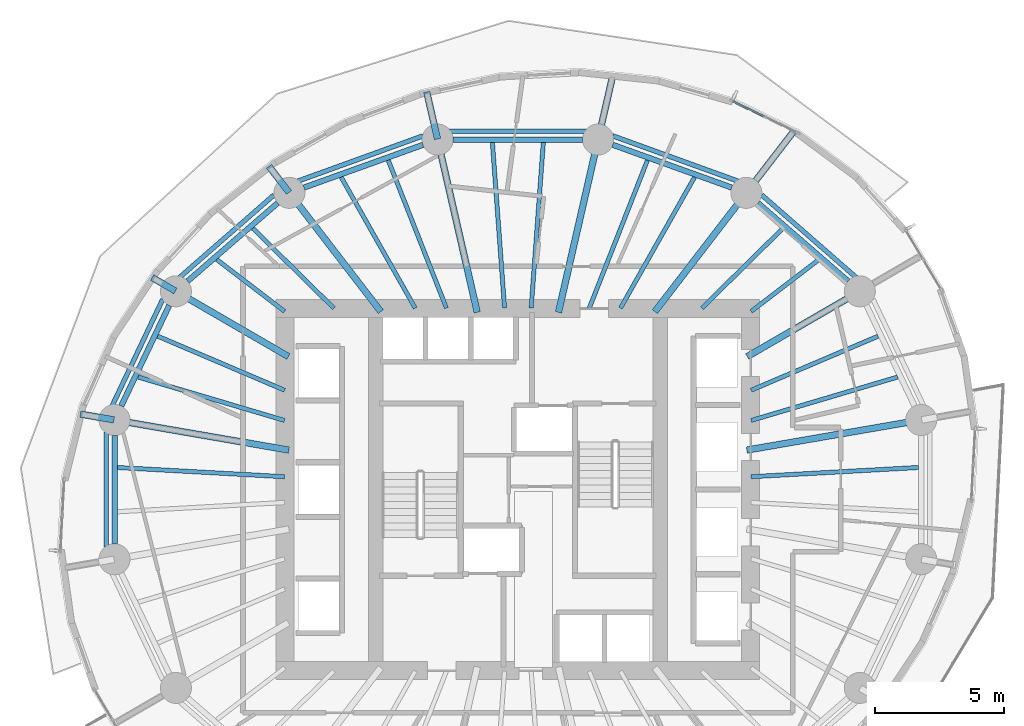
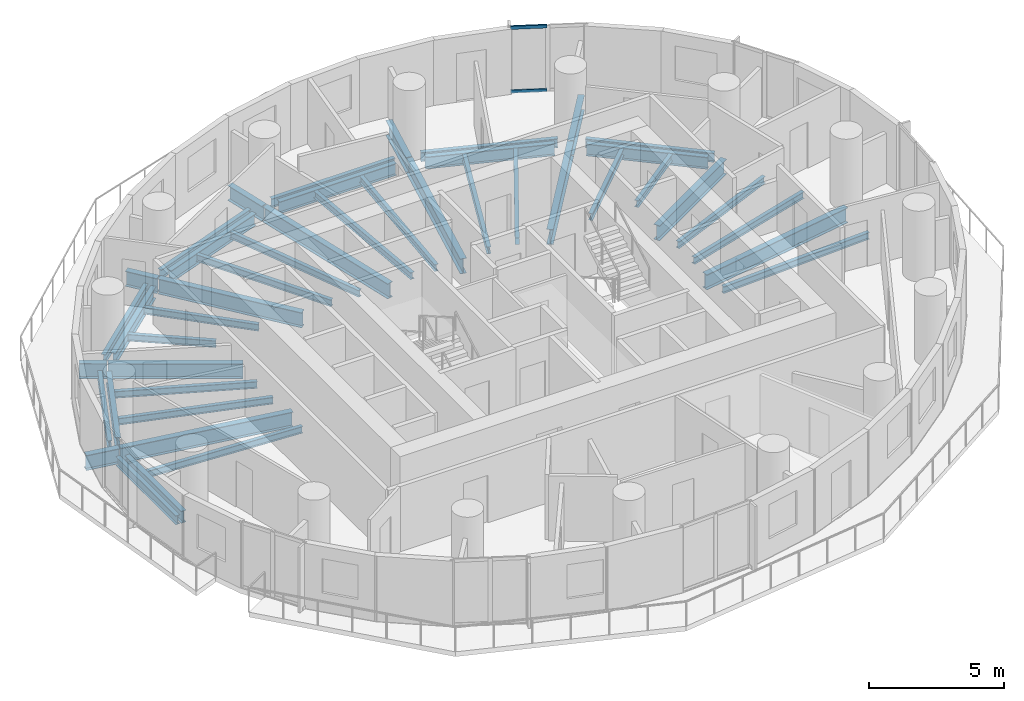
# One storey, part 4 of 15: 44 beams, 2 members, 1 element without a shape of its own.
"""IFC4 building model written with IfcOpenShell, lengths in metres."""

from ifc_helpers import new_model, si_unit, direction, frame, origin, origin_2d, place, context, subcontext, project, spatial, rectangle, i_section, extrude, material, material_profile, profile_set, type_object, element, aggregate, save


model = new_model("IFC4")

# Units and contexts
model_context = context("Model", 3, precision=1e-05, world=origin(), true_north=direction((0.0, 1.0)))
body_context = subcontext(model_context, "Body", "Model", "MODEL_VIEW")
ifc_project = project(units=[si_unit("LENGTHUNIT", "METRE"), si_unit("AREAUNIT", "SQUARE_METRE"), si_unit("VOLUMEUNIT", "CUBIC_METRE"), si_unit("PLANEANGLEUNIT", "RADIAN"), si_unit("MASSUNIT", "GRAM", prefix="KILO")], contexts=[model_context])

# Site, building, storey
site_placement = place(None, origin())
site = spatial("IfcSite", under=ifc_project, at=site_placement, CompositionType="ELEMENT")
building_placement = place(site_placement, origin())
building = spatial("IfcBuilding", under=site, at=building_placement, Name="Veldorim Arch Residences", CompositionType="ELEMENT")
storey_placement = place(building_placement, frame((0.0, 0.0, 102.8798828125)))
storey = spatial("IfcBuildingStorey", under=building, at=storey_placement, Name="L30", CompositionType="ELEMENT", Elevation=102.8798828125)

# Beams
ifc_material_1 = material(Name="Steel S355", Category="steel")
ifc_material_profile_1 = material_profile(ifc_material_1, i_section(OverallWidth=0.2119140625, OverallDepth=0.54443359375, WebThickness=0.0126953125, FlangeThickness=0.021240234375, at=origin_2d()), Name="UB533x210x122")
ifc_profile_set_1 = profile_set([ifc_material_profile_1], Name="Steel S355")
beam_type_1 = type_object("IfcBeamType", Name="Structural Steel Beam UB533x210x122", PredefinedType="BEAM", material=ifc_profile_set_1)
beam_1_placement = place(storey_placement, frame((44.767333984375, 32.060302734375, -0.511962890625), z_axis=(-0.755244952556, 0.655442645576, 0.0), x_axis=(-0.655442645576, -0.755244952556, 0.0)))
element("IfcBeam", 1, at=beam_1_placement, inside=storey, type_object=beam_type_1, Name="L30 perimeter ring tie beam 02", PredefinedType="BEAM", context=body_context, shape_type="SweptSolid", body=[
    extrude(i_section(OverallWidth=0.2119140625, OverallDepth=0.54443359375, WebThickness=0.0126953125, FlangeThickness=0.021240234375, at=origin_2d()), origin(), (0.0, 0.0, 1.0), 4.608642578125),
])
beam_2_placement = place(storey_placement, frame((40.26904296875, 35.67724609375, -0.511962890625), z_axis=(-0.941041944493, 0.338289903343, 0.0), x_axis=(-0.338289903343, -0.941041944493, 0.0)))
element("IfcBeam", 2, at=beam_2_placement, inside=storey, type_object=beam_type_1, Name="L30 perimeter ring tie beam 03", PredefinedType="BEAM", context=body_context, shape_type="SweptSolid", body=[
    extrude(i_section(OverallWidth=0.2119140625, OverallDepth=0.54443359375, WebThickness=0.0126953125, FlangeThickness=0.021240234375, at=origin_2d()), origin(), (0.0, 0.0, 1.0), 4.890869140625),
])
beam_3_placement = place(storey_placement, frame((34.501953125, 37.534912109375, -0.511962890625), z_axis=(-1.0, 0.0, 0.0), x_axis=(0.0, -1.0, 0.0)))
element("IfcBeam", 3, at=beam_3_placement, inside=storey, type_object=beam_type_1, Name="L30 perimeter ring tie beam 04", PredefinedType="BEAM", context=body_context, shape_type="SweptSolid", body=[
    extrude(i_section(OverallWidth=0.2119140625, OverallDepth=0.54443359375, WebThickness=0.0126953125, FlangeThickness=0.021240234375, at=origin_2d()), origin(), (0.0, 0.0, 1.0), 5.00390625),
])
beam_4_placement = place(storey_placement, frame((28.33349609375, 37.331787109375, -0.511962890625), z_axis=(-0.941041944493, -0.338289903343, 0.0), x_axis=(0.338289903343, -0.941041944493, 0.0)))
element("IfcBeam", 4, at=beam_4_placement, inside=storey, type_object=beam_type_1, Name="L30 perimeter ring tie beam 05", PredefinedType="BEAM", context=body_context, shape_type="SweptSolid", body=[
    extrude(i_section(OverallWidth=0.2119140625, OverallDepth=0.54443359375, WebThickness=0.0126953125, FlangeThickness=0.021240234375, at=origin_2d()), origin(), (0.0, 0.0, 1.0), 4.890869140625),
])
beam_5_placement = place(storey_placement, frame((22.71337890625, 35.0810546875, -0.511962890625), z_axis=(-0.755244952556, -0.655442645576, 0.0), x_axis=(0.655442645576, -0.755244952556, 0.0)))
element("IfcBeam", 5, at=beam_5_placement, inside=storey, type_object=beam_type_1, Name="L30 perimeter ring tie beam 06", PredefinedType="BEAM", context=body_context, shape_type="SweptSolid", body=[
    extrude(i_section(OverallWidth=0.2119140625, OverallDepth=0.54443359375, WebThickness=0.0126953125, FlangeThickness=0.021240234375, at=origin_2d()), origin(), (0.0, 0.0, 1.0), 4.608642578125),
])
beam_6_placement = place(storey_placement, frame((18.521240234375, 31.12548828125, -0.511962890625), z_axis=(-0.430720154476, -0.902485539235, 0.0), x_axis=(0.902485539235, -0.430720154476, 0.0)))
element("IfcBeam", 6, at=beam_6_placement, inside=storey, type_object=beam_type_1, Name="L30 perimeter ring tie beam 07", PredefinedType="BEAM", context=body_context, shape_type="SweptSolid", body=[
    extrude(i_section(OverallWidth=0.2119140625, OverallDepth=0.54443359375, WebThickness=0.0126953125, FlangeThickness=0.021240234375, at=origin_2d()), origin(), (0.0, 0.0, 1.0), 4.312255859375),
])
beam_7_placement = place(storey_placement, frame((16.405517578125, 26.09228515625, -0.511962890625), z_axis=(0.0, -1.0, 0.0), x_axis=(1.0, 0.0, 0.0)))
element("IfcBeam", 7, at=beam_7_placement, inside=storey, type_object=beam_type_1, Name="L30 perimeter ring tie beam 08", PredefinedType="BEAM", context=body_context, shape_type="SweptSolid", body=[
    extrude(i_section(OverallWidth=0.2119140625, OverallDepth=0.54443359375, WebThickness=0.0126953125, FlangeThickness=0.021240234375, at=origin_2d()), origin(), (0.0, 0.0, 1.0), 4.1845703125),
])
ifc_material_2 = material(Name="Steel S355", Category="steel")
ifc_material_profile_2 = material_profile(ifc_material_2, i_section(OverallWidth=0.25439453125, OverallDepth=0.6875, WebThickness=0.01318359375, FlangeThickness=0.02099609375, at=origin_2d()), Name="UB686x254x152")
ifc_profile_set_2 = profile_set([ifc_material_profile_2], Name="Steel S355")
beam_type_2 = type_object("IfcBeamType", Name="Structural Steel GIRDER UB686x254x152", PredefinedType="USERDEFINED", material=ifc_profile_set_2)
beam_8_placement = place(storey_placement, frame((40.852294921875, 25.5283203125, -0.58349609375), z_axis=(0.985426622718, 0.17010106184, 0.0), x_axis=(-0.17010106184, 0.985426622718, 0.0)))
element("IfcBeam", 8, at=beam_8_placement, inside=storey, type_object=beam_type_2, Name="L30 radial floor girder 01", ObjectType="GIRDER", PredefinedType="USERDEFINED", context=body_context, shape_type="SweptSolid", body=[
    extrude(i_section(OverallWidth=0.25439453125, OverallDepth=0.6875, WebThickness=0.01318359375, FlangeThickness=0.02099609375, at=origin_2d()), origin(), (0.0, 0.0, 1.0), 6.82177734375),
])
beam_9_placement = place(storey_placement, frame((40.8701171875, 29.14404296875, -0.58349609375), z_axis=(0.865048957682, 0.501687453314, 0.0), x_axis=(-0.501687453314, 0.865048957682, 0.0)))
element("IfcBeam", 9, at=beam_9_placement, inside=storey, type_object=beam_type_2, Name="L30 radial floor girder 02", ObjectType="GIRDER", PredefinedType="USERDEFINED", context=body_context, shape_type="SweptSolid", body=[
    extrude(i_section(OverallWidth=0.25439453125, OverallDepth=0.6875, WebThickness=0.01318359375, FlangeThickness=0.02099609375, at=origin_2d()), origin(), (0.0, 0.0, 1.0), 5.009033203125),
])
beam_10_placement = place(storey_placement, frame((37.297607421875, 30.881103515625, -0.58349609375), z_axis=(0.609994628196, 0.792405548676, 0.0), x_axis=(-0.792405548676, 0.609994628196, 0.0)))
element("IfcBeam", 10, at=beam_10_placement, inside=storey, type_object=beam_type_2, Name="L30 radial floor girder 03", ObjectType="GIRDER", PredefinedType="USERDEFINED", context=body_context, shape_type="SweptSolid", body=[
    extrude(i_section(OverallWidth=0.25439453125, OverallDepth=0.6875, WebThickness=0.01318359375, FlangeThickness=0.02099609375, at=origin_2d()), origin(), (0.0, 0.0, 1.0), 5.776611328125),
])
beam_11_placement = place(storey_placement, frame((40.845703125, 35.489990234375, -0.58349609375), z_axis=(0.610006503027, 0.792396407277, 0.0), x_axis=(-0.792396407277, 0.610006503027, 0.0)))
element("IfcBeam", 11, at=beam_11_placement, inside=storey, type_object=beam_type_2, Name="L30 radial edge cantilever girder 03", ObjectType="GIRDER", PredefinedType="USERDEFINED", context=body_context, shape_type="SweptSolid", body=[
    extrude(i_section(OverallWidth=0.25439453125, OverallDepth=0.6875, WebThickness=0.01318359375, FlangeThickness=0.02099609375, at=origin_2d()), origin(), (0.0, 0.0, 1.0), 2.99169921875),
])
beam_12_placement = place(storey_placement, frame((33.57080078125, 30.853759765625, -0.58349609375), z_axis=(0.223374742148, 0.97473264261, 0.0), x_axis=(-0.97473264261, 0.223374742148, 0.0)))
element("IfcBeam", 12, at=beam_12_placement, inside=storey, type_object=beam_type_2, Name="L30 radial floor girder 04", ObjectType="GIRDER", PredefinedType="USERDEFINED", context=body_context, shape_type="SweptSolid", body=[
    extrude(i_section(OverallWidth=0.25439453125, OverallDepth=0.6875, WebThickness=0.01318359375, FlangeThickness=0.02099609375, at=origin_2d()), origin(), (0.0, 0.0, 1.0), 6.834228515625),
])
beam_13_placement = place(storey_placement, frame((35.1064453125, 37.55419921875, -0.58349609375), z_axis=(0.223351330049, 0.974738007552, 0.0), x_axis=(-0.974738007552, 0.223351330049, 0.0)))
element("IfcBeam", 13, at=beam_13_placement, inside=storey, type_object=beam_type_2, Name="L30 radial edge cantilever girder 04", ObjectType="GIRDER", PredefinedType="USERDEFINED", context=body_context, shape_type="SweptSolid", body=[
    extrude(i_section(OverallWidth=0.25439453125, OverallDepth=0.6875, WebThickness=0.01318359375, FlangeThickness=0.02099609375, at=origin_2d()), origin(), (0.0, 0.0, 1.0), 2.530517578125),
])
beam_14_placement = place(storey_placement, frame((30.42919921875, 30.853759765625, -0.58349609375), z_axis=(-0.223374742148, 0.97473264261, 0.0), x_axis=(-0.97473264261, -0.223374742148, 0.0)))
element("IfcBeam", 14, at=beam_14_placement, inside=storey, type_object=beam_type_2, Name="L30 radial floor girder 05", ObjectType="GIRDER", PredefinedType="USERDEFINED", context=body_context, shape_type="SweptSolid", body=[
    extrude(i_section(OverallWidth=0.25439453125, OverallDepth=0.6875, WebThickness=0.01318359375, FlangeThickness=0.02099609375, at=origin_2d()), origin(), (0.0, 0.0, 1.0), 6.834228515625),
])
beam_15_placement = place(storey_placement, frame((28.8935546875, 37.55419921875, -0.58349609375), z_axis=(-0.22332180692, 0.974744772007, 0.0), x_axis=(-0.974744772007, -0.22332180692, 0.0)))
element("IfcBeam", 15, at=beam_15_placement, inside=storey, type_object=beam_type_2, Name="L30 radial edge cantilever girder 05", ObjectType="GIRDER", PredefinedType="USERDEFINED", context=body_context, shape_type="SweptSolid", body=[
    extrude(i_section(OverallWidth=0.25439453125, OverallDepth=0.6875, WebThickness=0.01318359375, FlangeThickness=0.02099609375, at=origin_2d()), origin(), (0.0, 0.0, 1.0), 1.8671875),
])
beam_16_placement = place(storey_placement, frame((26.702392578125, 30.881103515625, -0.58349609375), z_axis=(-0.609994628196, 0.792405548676, 0.0), x_axis=(-0.792405548676, -0.609994628196, 0.0)))
element("IfcBeam", 16, at=beam_16_placement, inside=storey, type_object=beam_type_2, Name="L30 radial floor girder 06", ObjectType="GIRDER", PredefinedType="USERDEFINED", context=body_context, shape_type="SweptSolid", body=[
    extrude(i_section(OverallWidth=0.25439453125, OverallDepth=0.6875, WebThickness=0.01318359375, FlangeThickness=0.02099609375, at=origin_2d()), origin(), (0.0, 0.0, 1.0), 5.776611328125),
])
beam_17_placement = place(storey_placement, frame((23.154296875, 35.489990234375, -0.58349609375), z_axis=(-0.610026114637, 0.792381309384, 0.0), x_axis=(-0.792381309384, -0.610026114637, 0.0)))
element("IfcBeam", 17, at=beam_17_placement, inside=storey, type_object=beam_type_2, Name="L30 radial edge cantilever girder 06", ObjectType="GIRDER", PredefinedType="USERDEFINED", context=body_context, shape_type="SweptSolid", body=[
    extrude(i_section(OverallWidth=0.25439453125, OverallDepth=0.6875, WebThickness=0.01318359375, FlangeThickness=0.02099609375, at=origin_2d()), origin(), (0.0, 0.0, 1.0), 1.27197265625),
])
beam_18_placement = place(storey_placement, frame((23.1298828125, 29.14404296875, -0.58349609375), z_axis=(-0.865048957682, 0.501687453314, 0.0), x_axis=(-0.501687453314, -0.865048957682, 0.0)))
element("IfcBeam", 18, at=beam_18_placement, inside=storey, type_object=beam_type_2, Name="L30 radial floor girder 07", ObjectType="GIRDER", PredefinedType="USERDEFINED", context=body_context, shape_type="SweptSolid", body=[
    extrude(i_section(OverallWidth=0.25439453125, OverallDepth=0.6875, WebThickness=0.01318359375, FlangeThickness=0.02099609375, at=origin_2d()), origin(), (0.0, 0.0, 1.0), 5.009033203125),
])
beam_19_placement = place(storey_placement, frame((18.76220703125, 31.677001953125, -0.58349609375), z_axis=(-0.865063622803, 0.501662165708, 0.0), x_axis=(-0.501662165708, -0.865063622803, 0.0)))
element("IfcBeam", 19, at=beam_19_placement, inside=storey, type_object=beam_type_2, Name="L30 radial edge cantilever girder 07", ObjectType="GIRDER", PredefinedType="USERDEFINED", context=body_context, shape_type="SweptSolid", body=[
    extrude(i_section(OverallWidth=0.25439453125, OverallDepth=0.6875, WebThickness=0.01318359375, FlangeThickness=0.02099609375, at=origin_2d()), origin(), (0.0, 0.0, 1.0), 1.04541015625),
])
beam_20_placement = place(storey_placement, frame((23.147705078125, 25.5283203125, -0.58349609375), z_axis=(-0.985426622718, 0.17010106184, 0.0), x_axis=(-0.17010106184, -0.985426622718, 0.0)))
element("IfcBeam", 20, at=beam_20_placement, inside=storey, type_object=beam_type_2, Name="L30 radial floor girder 08", ObjectType="GIRDER", PredefinedType="USERDEFINED", context=body_context, shape_type="SweptSolid", body=[
    extrude(i_section(OverallWidth=0.25439453125, OverallDepth=0.6875, WebThickness=0.01318359375, FlangeThickness=0.02099609375, at=origin_2d()), origin(), (0.0, 0.0, 1.0), 6.82177734375),
])
beam_21_placement = place(storey_placement, frame((16.3857421875, 26.695556640625, -0.58349609375), z_axis=(-0.985414257331, 0.170172681262, 0.0), x_axis=(-0.170172681262, -0.985414257331, 0.0)))
element("IfcBeam", 21, at=beam_21_placement, inside=storey, type_object=beam_type_2, Name="L30 radial edge cantilever girder 08", ObjectType="GIRDER", PredefinedType="USERDEFINED", context=body_context, shape_type="SweptSolid", body=[
    extrude(i_section(OverallWidth=0.25439453125, OverallDepth=0.6875, WebThickness=0.01318359375, FlangeThickness=0.02099609375, at=origin_2d()), origin(), (0.0, 0.0, 1.0), 1.32275390625),
])
ifc_material_3 = material(Name="Steel S355", Category="steel")
ifc_material_profile_3 = material_profile(ifc_material_3, i_section(OverallWidth=0.165771484375, OverallDepth=0.306640625, WebThickness=0.006591796875, FlangeThickness=0.01171875, at=origin_2d()), Name="UB305x165x46")
ifc_profile_set_3 = profile_set([ifc_material_profile_3], Name="Steel S355")
beam_type_3 = type_object("IfcBeamType", Name="Structural Steel Joist UB305x165x46", PredefinedType="JOIST", material=ifc_profile_set_3)
beam_22_placement = place(storey_placement, frame((41.019287109375, 26.673583984375, -0.39306640625), z_axis=(0.958753061488, 0.284240333324, 0.0), x_axis=(-0.284240333324, 0.958753061488, 0.0)))
element("IfcBeam", 22, at=beam_22_placement, inside=storey, type_object=beam_type_3, Name="L30 secondary radial floor joist 01-1", PredefinedType="JOIST", context=body_context, shape_type="SweptSolid", body=[
    extrude(i_section(OverallWidth=0.165771484375, OverallDepth=0.306640625, WebThickness=0.006591796875, FlangeThickness=0.01171875, at=origin_2d()), origin(), (0.0, 0.0, 1.0), 5.906005859375),
])
beam_23_placement = place(storey_placement, frame((41.018310546875, 27.841552734375, -0.39306640625), z_axis=(0.919997395122, 0.391924473552, 0.0), x_axis=(-0.391924473552, 0.919997395122, 0.0)))
element("IfcBeam", 23, at=beam_23_placement, inside=storey, type_object=beam_type_3, Name="L30 secondary radial floor joist 01-2", PredefinedType="JOIST", context=body_context, shape_type="SweptSolid", body=[
    extrude(i_section(OverallWidth=0.165771484375, OverallDepth=0.306640625, WebThickness=0.006591796875, FlangeThickness=0.01171875, at=origin_2d()), origin(), (0.0, 0.0, 1.0), 5.334716796875),
])
beam_24_placement = place(storey_placement, frame((41.015869140625, 30.888427734375, -0.39306640625), z_axis=(0.794594763594, 0.60714014994, 0.0), x_axis=(-0.60714014994, 0.794594763594, 0.0)))
element("IfcBeam", 24, at=beam_24_placement, inside=storey, type_object=beam_type_3, Name="L30 secondary radial floor joist 02-1", PredefinedType="JOIST", context=body_context, shape_type="SweptSolid", body=[
    extrude(i_section(OverallWidth=0.165771484375, OverallDepth=0.306640625, WebThickness=0.006591796875, FlangeThickness=0.01171875, at=origin_2d()), origin(), (0.0, 0.0, 1.0), 3.30419921875),
])
beam_25_placement = place(storey_placement, frame((39.114013671875, 31.013916015625, -0.39306640625), z_axis=(0.712111629941, 0.702066255066, 0.0), x_axis=(-0.702066255066, 0.712111629941, 0.0)))
element("IfcBeam", 25, at=beam_25_placement, inside=storey, type_object=beam_type_3, Name="L30 secondary radial floor joist 02-2", PredefinedType="JOIST", context=body_context, shape_type="SweptSolid", body=[
    extrude(i_section(OverallWidth=0.165771484375, OverallDepth=0.306640625, WebThickness=0.006591796875, FlangeThickness=0.01171875, at=origin_2d()), origin(), (0.0, 0.0, 1.0), 4.39892578125),
])
beam_26_placement = place(storey_placement, frame((35.96826171875, 31.017333984375, -0.39306640625), z_axis=(0.492227411199, 0.870466642476, 0.0), x_axis=(-0.870466642476, 0.492227411199, 0.0)))
element("IfcBeam", 26, at=beam_26_placement, inside=storey, type_object=beam_type_3, Name="L30 secondary radial floor joist 03-1", PredefinedType="JOIST", context=body_context, shape_type="SweptSolid", body=[
    extrude(i_section(OverallWidth=0.165771484375, OverallDepth=0.306640625, WebThickness=0.006591796875, FlangeThickness=0.01171875, at=origin_2d()), origin(), (0.0, 0.0, 1.0), 5.81494140625),
])
beam_27_placement = place(storey_placement, frame((34.761962890625, 31.0185546875, -0.39306640625), z_axis=(0.366194870364, 0.930538186707, 0.0), x_axis=(-0.930538186707, 0.366194870364, 0.0)))
element("IfcBeam", 27, at=beam_27_placement, inside=storey, type_object=beam_type_3, Name="L30 secondary radial floor joist 03-2", PredefinedType="JOIST", context=body_context, shape_type="SweptSolid", body=[
    extrude(i_section(OverallWidth=0.165771484375, OverallDepth=0.306640625, WebThickness=0.006591796875, FlangeThickness=0.01171875, at=origin_2d()), origin(), (0.0, 0.0, 1.0), 6.1396484375),
])
for number, where, z_axis, x_axis, name in (
    (28, (32.514892578125, 31.02001953125, -0.39306640625), (0.073143494169, 0.997321427254, 0.0), (-0.997321427254, 0.073143494169, 0.0), "L30 secondary radial floor joist 04-1"),
    (29, (31.485107421875, 31.02001953125, -0.39306640625), (-0.073143494169, 0.997321427254, 0.0), (-0.997321427254, -0.073143494169, 0.0), "L30 secondary radial floor joist 04-2"),
):
    element("IfcBeam", number, at=place(storey_placement, frame(where, z_axis=z_axis, x_axis=x_axis)), inside=storey, type_object=beam_type_3, Name=name, PredefinedType="JOIST", context=body_context, shape_type="SweptSolid", body=[
        extrude(i_section(OverallWidth=0.165771484375, OverallDepth=0.306640625, WebThickness=0.006591796875, FlangeThickness=0.01171875, at=origin_2d()), origin(), (0.0, 0.0, 1.0), 6.421875),
    ])
beam_28_placement = place(storey_placement, frame((29.238037109375, 31.0185546875, -0.39306640625), z_axis=(-0.366194870364, 0.930538186707, 0.0), x_axis=(-0.930538186707, -0.366194870364, 0.0)))
element("IfcBeam", 30, at=beam_28_placement, inside=storey, type_object=beam_type_3, Name="L30 secondary radial floor joist 05-1", PredefinedType="JOIST", context=body_context, shape_type="SweptSolid", body=[
    extrude(i_section(OverallWidth=0.165771484375, OverallDepth=0.306640625, WebThickness=0.006591796875, FlangeThickness=0.01171875, at=origin_2d()), origin(), (0.0, 0.0, 1.0), 6.1396484375),
])
beam_29_placement = place(storey_placement, frame((28.03173828125, 31.017333984375, -0.39306640625), z_axis=(-0.492227411199, 0.870466642476, 0.0), x_axis=(-0.870466642476, -0.492227411199, 0.0)))
element("IfcBeam", 31, at=beam_29_placement, inside=storey, type_object=beam_type_3, Name="L30 secondary radial floor joist 05-2", PredefinedType="JOIST", context=body_context, shape_type="SweptSolid", body=[
    extrude(i_section(OverallWidth=0.165771484375, OverallDepth=0.306640625, WebThickness=0.006591796875, FlangeThickness=0.01171875, at=origin_2d()), origin(), (0.0, 0.0, 1.0), 5.81494140625),
])
beam_30_placement = place(storey_placement, frame((24.885986328125, 31.013916015625, -0.39306640625), z_axis=(-0.712111629941, 0.702066255066, 0.0), x_axis=(-0.702066255066, -0.712111629941, 0.0)))
element("IfcBeam", 32, at=beam_30_placement, inside=storey, type_object=beam_type_3, Name="L30 secondary radial floor joist 06-1", PredefinedType="JOIST", context=body_context, shape_type="SweptSolid", body=[
    extrude(i_section(OverallWidth=0.165771484375, OverallDepth=0.306640625, WebThickness=0.006591796875, FlangeThickness=0.01171875, at=origin_2d()), origin(), (0.0, 0.0, 1.0), 4.39892578125),
])
beam_31_placement = place(storey_placement, frame((22.984130859375, 30.888427734375, -0.39306640625), z_axis=(-0.794594763594, 0.60714014994, 0.0), x_axis=(-0.60714014994, -0.794594763594, 0.0)))
element("IfcBeam", 33, at=beam_31_placement, inside=storey, type_object=beam_type_3, Name="L30 secondary radial floor joist 06-2", PredefinedType="JOIST", context=body_context, shape_type="SweptSolid", body=[
    extrude(i_section(OverallWidth=0.165771484375, OverallDepth=0.306640625, WebThickness=0.006591796875, FlangeThickness=0.01171875, at=origin_2d()), origin(), (0.0, 0.0, 1.0), 3.30419921875),
])
beam_32_placement = place(storey_placement, frame((22.981689453125, 27.841552734375, -0.39306640625), z_axis=(-0.919997395122, 0.391924473552, 0.0), x_axis=(-0.391924473552, -0.919997395122, 0.0)))
element("IfcBeam", 34, at=beam_32_placement, inside=storey, type_object=beam_type_3, Name="L30 secondary radial floor joist 07-1", PredefinedType="JOIST", context=body_context, shape_type="SweptSolid", body=[
    extrude(i_section(OverallWidth=0.165771484375, OverallDepth=0.306640625, WebThickness=0.006591796875, FlangeThickness=0.01171875, at=origin_2d()), origin(), (0.0, 0.0, 1.0), 5.334716796875),
])
beam_33_placement = place(storey_placement, frame((22.980712890625, 26.673583984375, -0.39306640625), z_axis=(-0.958753061488, 0.284240333324, 0.0), x_axis=(-0.284240333324, -0.958753061488, 0.0)))
element("IfcBeam", 35, at=beam_33_placement, inside=storey, type_object=beam_type_3, Name="L30 secondary radial floor joist 07-2", PredefinedType="JOIST", context=body_context, shape_type="SweptSolid", body=[
    extrude(i_section(OverallWidth=0.165771484375, OverallDepth=0.306640625, WebThickness=0.006591796875, FlangeThickness=0.01171875, at=origin_2d()), origin(), (0.0, 0.0, 1.0), 5.906005859375),
])
for number, where, z_axis, x_axis, name in (
    (36, (22.97998046875, 24.498291015625, -0.39306640625), (-0.99847713097, 0.055167190702, 0.0), (-0.055167190702, -0.99847713097, 0.0), "L30 secondary radial floor joist 08-1"),
    (37, (41.02001953125, 24.498291015625, -0.39306640625), (0.99847713097, 0.055167190702, 0.0), (-0.055167190702, 0.99847713097, 0.0), "L30 secondary radial floor joist 16-2"),
):
    element("IfcBeam", number, at=place(storey_placement, frame(where, z_axis=z_axis, x_axis=x_axis)), inside=storey, type_object=beam_type_3, Name=name, PredefinedType="JOIST", context=body_context, shape_type="SweptSolid", body=[
        extrude(i_section(OverallWidth=0.165771484375, OverallDepth=0.306640625, WebThickness=0.006591796875, FlangeThickness=0.01171875, at=origin_2d()), origin(), (0.0, 0.0, 1.0), 6.474365234375),
    ])
ifc_material_4 = material(Name="Steel S355", Category="steel")
ifc_material_profile_4 = material_profile(ifc_material_4, i_section(OverallWidth=0.1787109375, OverallDepth=0.409423828125, WebThickness=0.0087890625, FlangeThickness=0.014404296875, at=origin_2d()), Name="UB406x178x67")
ifc_profile_set_4 = profile_set([ifc_material_profile_4], Name="Steel S355")
beam_type_4 = type_object("IfcBeamType", Name="Structural Steel Spandrel UB406x178x67", PredefinedType="SPANDREL", material=ifc_profile_set_4)
beam_34_placement = place(storey_placement, frame((45.108154296875, 32.1796875, -0.464599609375), z_axis=(-0.753323239074, 0.65765043714, 0.0), x_axis=(-0.65765043714, -0.753323239074, 0.0)))
element("IfcBeam", 38, at=beam_34_placement, inside=storey, type_object=beam_type_4, Name="L30 perimeter chord spandrel beam 02", PredefinedType="SPANDREL", context=body_context, shape_type="SweptSolid", body=[
    extrude(i_section(OverallWidth=0.1787109375, OverallDepth=0.409423828125, WebThickness=0.0087890625, FlangeThickness=0.014404296875, at=origin_2d()), origin(), (0.0, 0.0, 1.0), 4.879150390625),
])
beam_35_placement = place(storey_placement, frame((40.538330078125, 35.91552734375, -0.464599609375), z_axis=(-0.940307501418, 0.340326024244, 0.0), x_axis=(-0.340326024244, -0.940307501418, 0.0)))
element("IfcBeam", 39, at=beam_35_placement, inside=storey, type_object=beam_type_4, Name="L30 perimeter chord spandrel beam 03", PredefinedType="SPANDREL", context=body_context, shape_type="SweptSolid", body=[
    extrude(i_section(OverallWidth=0.1787109375, OverallDepth=0.409423828125, WebThickness=0.0087890625, FlangeThickness=0.014404296875, at=origin_2d()), origin(), (0.0, 0.0, 1.0), 5.175048828125),
])
beam_36_placement = place(storey_placement, frame((34.647705078125, 37.8564453125, -0.464599609375), z_axis=(-1.0, 0.0, 0.0), x_axis=(0.0, -1.0, 0.0)))
element("IfcBeam", 40, at=beam_36_placement, inside=storey, type_object=beam_type_4, Name="L30 perimeter chord spandrel beam 04", PredefinedType="SPANDREL", context=body_context, shape_type="SweptSolid", body=[
    extrude(i_section(OverallWidth=0.1787109375, OverallDepth=0.409423828125, WebThickness=0.0087890625, FlangeThickness=0.014404296875, at=origin_2d()), origin(), (0.0, 0.0, 1.0), 5.29541015625),
])
beam_37_placement = place(storey_placement, frame((28.327880859375, 37.6767578125, -0.464599609375), z_axis=(-0.940307501418, -0.340326024244, 0.0), x_axis=(0.340326024244, -0.940307501418, 0.0)))
element("IfcBeam", 41, at=beam_37_placement, inside=storey, type_object=beam_type_4, Name="L30 perimeter chord spandrel beam 05", PredefinedType="SPANDREL", context=body_context, shape_type="SweptSolid", body=[
    extrude(i_section(OverallWidth=0.1787109375, OverallDepth=0.409423828125, WebThickness=0.0087890625, FlangeThickness=0.014404296875, at=origin_2d()), origin(), (0.0, 0.0, 1.0), 5.175048828125),
])
beam_38_placement = place(storey_placement, frame((22.5673828125, 35.388427734375, -0.464599609375), z_axis=(-0.753323239074, -0.65765043714, 0.0), x_axis=(0.65765043714, -0.753323239074, 0.0)))
element("IfcBeam", 42, at=beam_38_placement, inside=storey, type_object=beam_type_4, Name="L30 perimeter chord spandrel beam 06", PredefinedType="SPANDREL", context=body_context, shape_type="SweptSolid", body=[
    extrude(i_section(OverallWidth=0.1787109375, OverallDepth=0.409423828125, WebThickness=0.0087890625, FlangeThickness=0.014404296875, at=origin_2d()), origin(), (0.0, 0.0, 1.0), 4.879150390625),
])
beam_39_placement = place(storey_placement, frame((18.267578125, 31.35546875, -0.464599609375), z_axis=(-0.428857472204, -0.903372165021, 0.0), x_axis=(0.903372165021, -0.428857472204, 0.0)))
element("IfcBeam", 43, at=beam_39_placement, inside=storey, type_object=beam_type_4, Name="L30 perimeter chord spandrel beam 07", PredefinedType="SPANDREL", context=body_context, shape_type="SweptSolid", body=[
    extrude(i_section(OverallWidth=0.1787109375, OverallDepth=0.409423828125, WebThickness=0.0087890625, FlangeThickness=0.014404296875, at=origin_2d()), origin(), (0.0, 0.0, 1.0), 4.572021484375),
])
beam_40_placement = place(storey_placement, frame((16.080322265625, 26.22021484375, -0.464599609375), z_axis=(0.0, -1.0, 0.0), x_axis=(1.0, 0.0, 0.0)))
element("IfcBeam", 44, at=beam_40_placement, inside=storey, type_object=beam_type_4, Name="L30 perimeter chord spandrel beam 08", PredefinedType="SPANDREL", context=body_context, shape_type="SweptSolid", body=[
    extrude(i_section(OverallWidth=0.1787109375, OverallDepth=0.409423828125, WebThickness=0.0087890625, FlangeThickness=0.014404296875, at=origin_2d()), origin(), (0.0, 0.0, 1.0), 4.4404296875),
])

# Curtain wall, members
ifc_material_5 = material(Name="Aluminium", Category="aluminium")
curtain_wall_type = type_object("IfcCurtainWallType", Name="Zone 2 Solar-Control Unitised Curtain Wall", PredefinedType="NOTDEFINED", material=ifc_material_5)
curtain_wall_placement = place(storey_placement, origin())
curtain_wall = element("IfcCurtainWall", 45, at=curtain_wall_placement, inside=storey, type_object=curtain_wall_type, Name="L30 unitised curtain wall bay 04", PredefinedType="NOTDEFINED")
ifc_material_6 = material(Name="Aluminium", Category="aluminium")
ifc_material_profile_5 = material_profile(ifc_material_6, rectangle(XDim=0.06494140625, YDim=0.14501953125, at=origin_2d()), Name="ALU_TRN_65x145")
ifc_profile_set_5 = profile_set([ifc_material_profile_5], Name="Aluminium")
member_type = type_object("IfcMemberType", Name="Zone 2 Solar-Control Unitised Curtain Wall Transom 65x145", PredefinedType="USERDEFINED", material=ifc_profile_set_5)
member_1_placement = place(storey_placement, frame((40.31005859375, 39.016357421875, 0.03271484375), z_axis=(0.899427024625, -0.437070963774, 0.0), x_axis=(0.437070963774, 0.899427024625, 0.0)))
member_1 = element("IfcMember", 46, at=member_1_placement, type_object=member_type, Name="CW-Z2 transom 1.1", ObjectType="TRANSOM", PredefinedType="USERDEFINED", context=body_context, shape_type="SweptSolid", body=[
    extrude(rectangle(XDim=0.06494140625, YDim=0.14501953125, at=origin_2d()), origin(), (0.0, 0.0, 1.0), 1.351806640625),
])
member_2_placement = place(storey_placement, frame((40.31005859375, 39.016357421875, 2.927734375), z_axis=(0.899427024625, -0.437070963774, 0.0), x_axis=(0.437070963774, 0.899427024625, 0.0)))
member_2 = element("IfcMember", 47, at=member_2_placement, type_object=member_type, Name="CW-Z2 transom 1.2", ObjectType="TRANSOM", PredefinedType="USERDEFINED", context=body_context, shape_type="SweptSolid", body=[
    extrude(rectangle(XDim=0.06494140625, YDim=0.14501953125, at=origin_2d()), origin(), (0.0, 0.0, 1.0), 1.351806640625),
])
aggregate(curtain_wall, [member_1, member_2])

save(model, "model.ifc")
